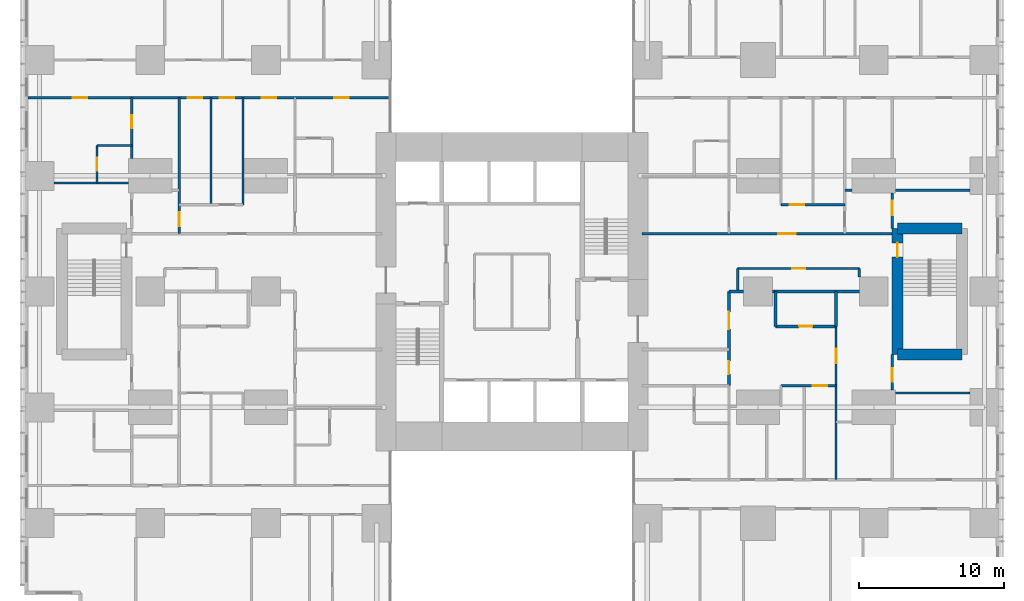
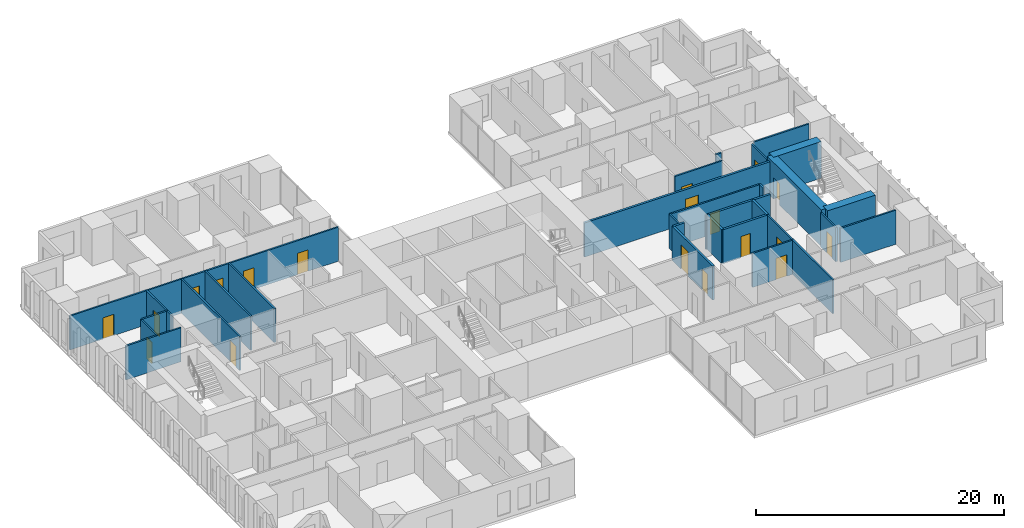
# One storey, part 16 of 20: 29 walls, 19 doors, 19 openings.
"""IFC4 building model written with IfcOpenShell, lengths in metres."""

from ifc_helpers import new_model, si_unit, direction, frame, frame_2d, origin, place, context, subcontext, project, spatial, rectangle, extrude, material, layer, layer_set, type_object, element, fill, save


model = new_model("IFC4")

# Units and contexts
model_context = context("Model", 3, precision=1e-05, world=origin(), true_north=direction((0.0, 1.0)))
body_context = subcontext(model_context, "Body", "Model", "MODEL_VIEW")
ifc_project = project(units=[si_unit("LENGTHUNIT", "METRE"), si_unit("AREAUNIT", "SQUARE_METRE"), si_unit("VOLUMEUNIT", "CUBIC_METRE"), si_unit("PLANEANGLEUNIT", "RADIAN"), si_unit("MASSUNIT", "GRAM", prefix="KILO")], contexts=[model_context])

# Site, building, storey
site_placement = place(None, origin())
site = spatial("IfcSite", under=ifc_project, at=site_placement, CompositionType="ELEMENT")
building_placement = place(site_placement, origin())
building = spatial("IfcBuilding", under=site, at=building_placement, Name="Cleftline Residences", CompositionType="ELEMENT")
storey_placement = place(building_placement, frame((0.0, 0.0, 153.800048828125)))
storey = spatial("IfcBuildingStorey", under=building, at=storey_placement, Name="L40", CompositionType="ELEMENT", Elevation=153.800048828125)

# Wall, opening, door
ifc_material_1 = material(Name="Concrete blockwork, fire rated", Category="masonry")
ifc_layer_1 = layer(ifc_material_1, 0.199951171875)
ifc_layer_set_1 = layer_set([ifc_layer_1], Name="FIRE WALL 200")
wall_type_1 = type_object("IfcWallType", Name="FIRE WALL 200", PredefinedType="PARTITIONING", material=ifc_layer_set_1)
wall_1_placement = place(storey_placement, frame((51.199951171875, 21.60009765625, 0.0), z_axis=(0.0, 0.0, 1.0), x_axis=(1.0, 0.0, 0.0)))
wall_1 = element("IfcWall", 1, at=wall_1_placement, inside=storey, type_object=wall_type_1, Name="Fire separating wall", PredefinedType="PARTITIONING", context=body_context, shape_type="SweptSolid", body=[
    extrude(rectangle(XDim=4.199951171875, YDim=0.199951171875, at=frame_2d((2.10009765625, 0.0))), origin(), (0.0, 0.0, 1.0), 3.349853515625),
])
opening_1_placement = place(wall_1_placement, frame((1.64990234375, 0.0, 0.0)))
opening_1 = element("IfcOpeningElement", 2, at=opening_1_placement, cuts=wall_1, Name="Opening D1F30", PredefinedType="OPENING", context=body_context, shape_type="SweptSolid", body=[
    extrude(rectangle(XDim=0.89990234375, YDim=2.10009765625, at=frame_2d((0.449951171875, 1.050048828125))), frame((0.0, 0.10986328125, 0.0), z_axis=(0.0, -1.0, 0.0), x_axis=(1.0, 0.0, 0.0)), (0.0, 0.0, 1.0), 0.219970703125),
])
ifc_material_2 = material(Name="Timber veneer on solid core", Category="wood")
door_type_1 = type_object("IfcDoorType", Name="DOOR 900X2100 EI 30", OperationType="SINGLE_SWING_LEFT", PredefinedType="DOOR", material=ifc_material_2)
door_1_placement = place(opening_1_placement, origin())
door_1 = element("IfcDoor", 3, at=door_1_placement, inside=storey, type_object=door_type_1, Name="Door to cloakroom wc", OperationType="SINGLE_SWING_LEFT", OverallHeight=2.10009765625, OverallWidth=0.89990234375, PredefinedType="DOOR", context=body_context, shape_type="SweptSolid", body=[
    extrude(rectangle(XDim=0.89990234375, YDim=2.10009765625, at=frame_2d((0.449951171875, 1.050048828125))), frame((0.0, 0.02490234375, 0.0), z_axis=(0.0, -1.0, 0.0), x_axis=(1.0, 0.0, 0.0)), (0.0, 0.0, 1.0), 0.050048828125),
])
fill(opening_1, door_1)

# Walls
wall_2_placement = place(storey_placement, frame((48.0, 24.0, 0.0), z_axis=(0.0, 0.0, 1.0), x_axis=(1.0, 0.0, 0.0)))
element("IfcWall", 4, at=wall_2_placement, inside=storey, type_object=wall_type_1, Name="Fire separating wall", PredefinedType="PARTITIONING", context=body_context, shape_type="SweptSolid", body=[
    extrude(rectangle(XDim=1.0, YDim=0.199951171875, at=frame_2d((0.5, 0.0))), origin(), (0.0, 0.0, 1.0), 3.349853515625),
])
wall_3_placement = place(storey_placement, frame((51.0, 24.0, 0.0), z_axis=(0.0, 0.0, 1.0), x_axis=(1.0, 0.0, 0.0)))
element("IfcWall", 5, at=wall_3_placement, inside=storey, type_object=wall_type_1, Name="Fire separating wall", PredefinedType="PARTITIONING", context=body_context, shape_type="SweptSolid", body=[
    extrude(rectangle(XDim=6.0, YDim=0.199951171875, at=frame_2d((3.0, 0.0))), origin(), (0.0, 0.0, 1.0), 3.349853515625),
])

# Wall, opening, door
wall_4_placement = place(storey_placement, frame((42.0, 28.0, 0.0), z_axis=(0.0, 0.0, 1.0), x_axis=(1.0, 0.0, 0.0)))
wall_4 = element("IfcWall", 6, at=wall_4_placement, inside=storey, type_object=wall_type_1, Name="Fire separating wall", PredefinedType="PARTITIONING", context=body_context, shape_type="SweptSolid", body=[
    extrude(rectangle(XDim=17.27490234375, YDim=0.199951171875, at=frame_2d((8.637451171875, 0.0))), origin(), (0.0, 0.0, 1.0), 3.349853515625),
])
opening_2_placement = place(wall_4_placement, frame((9.39990234375, 0.0, 0.0)))
opening_2 = element("IfcOpeningElement", 7, at=opening_2_placement, cuts=wall_4, Name="Opening D4", PredefinedType="OPENING", context=body_context, shape_type="SweptSolid", body=[
    extrude(rectangle(XDim=1.199951171875, YDim=2.39990234375, at=frame_2d((0.60009765625, 1.199951171875))), frame((0.0, 0.10986328125, 0.0), z_axis=(0.0, -1.0, 0.0), x_axis=(1.0, 0.0, 0.0)), (0.0, 0.0, 1.0), 0.219970703125),
])
ifc_material_3 = material(Name="Timber veneer on solid core", Category="wood")
door_type_2 = type_object("IfcDoorType", Name="APARTMENT ENTRANCE DOOR 1200X2400", OperationType="SINGLE_SWING_RIGHT", PredefinedType="DOOR", material=ifc_material_3)
door_2_placement = place(opening_2_placement, origin())
door_2 = element("IfcDoor", 8, at=door_2_placement, inside=storey, type_object=door_type_2, Name="Door to residence entrance (gallery)", OperationType="SINGLE_SWING_LEFT", OverallHeight=2.39990234375, OverallWidth=1.199951171875, PredefinedType="DOOR", context=body_context, shape_type="SweptSolid", body=[
    extrude(rectangle(XDim=1.199951171875, YDim=2.39990234375, at=frame_2d((0.60009765625, 1.199951171875))), frame((0.0, 0.02490234375, 0.0), z_axis=(0.0, -1.0, 0.0), x_axis=(1.0, 0.0, 0.0)), (0.0, 0.0, 1.0), 0.050048828125),
])
fill(opening_2, door_2)

# Wall, openings, doors
wall_5_placement = place(storey_placement, frame((48.0, 17.5, 0.0), z_axis=(0.0, 0.0, 1.0), x_axis=(0.0, 1.0, 0.0)))
wall_5 = element("IfcWall", 9, at=wall_5_placement, inside=storey, type_object=wall_type_1, Name="Fire separating wall", PredefinedType="PARTITIONING", context=body_context, shape_type="SweptSolid", body=[
    extrude(rectangle(XDim=6.5, YDim=0.199951171875, at=frame_2d((3.25, 0.0))), origin(), (0.0, 0.0, 1.0), 3.349853515625),
])
opening_3_placement = place(wall_5_placement, frame((3.89990234375, 0.0, 0.0)))
opening_3 = element("IfcOpeningElement", 10, at=opening_3_placement, cuts=wall_5, Name="Opening D4", PredefinedType="OPENING", context=body_context, shape_type="SweptSolid", body=[
    extrude(rectangle(XDim=1.199951171875, YDim=2.39990234375, at=frame_2d((0.60009765625, 1.199951171875))), frame((0.0, 0.10986328125, 0.0), z_axis=(0.0, -1.0, 0.0), x_axis=(1.0, 0.0, 0.0)), (0.0, 0.0, 1.0), 0.219970703125),
])
opening_4_placement = place(wall_5_placement, frame((0.800048828125, 0.0, 0.0)))
opening_4 = element("IfcOpeningElement", 11, at=opening_4_placement, cuts=wall_5, Name="Opening D1F30", PredefinedType="OPENING", context=body_context, shape_type="SweptSolid", body=[
    extrude(rectangle(XDim=0.89990234375, YDim=2.10009765625, at=frame_2d((0.449951171875, 1.050048828125))), frame((0.0, 0.10986328125, 0.0), z_axis=(0.0, -1.0, 0.0), x_axis=(1.0, 0.0, 0.0)), (0.0, 0.0, 1.0), 0.219970703125),
])
door_3_placement = place(opening_3_placement, origin())
door_3 = element("IfcDoor", 12, at=door_3_placement, inside=storey, type_object=door_type_2, Name="Door to residence entrance foyer", OperationType="SINGLE_SWING_LEFT", OverallHeight=2.39990234375, OverallWidth=1.199951171875, PredefinedType="DOOR", context=body_context, shape_type="SweptSolid", body=[
    extrude(rectangle(XDim=1.199951171875, YDim=2.39990234375, at=frame_2d((0.60009765625, 1.199951171875))), frame((0.0, 0.02490234375, 0.0), z_axis=(0.0, -1.0, 0.0), x_axis=(1.0, 0.0, 0.0)), (0.0, 0.0, 1.0), 0.050048828125),
])
fill(opening_3, door_3)
door_4_placement = place(opening_4_placement, origin())
door_4 = element("IfcDoor", 13, at=door_4_placement, inside=storey, type_object=door_type_1, Name="Door to utility room", OperationType="SINGLE_SWING_RIGHT", OverallHeight=2.10009765625, OverallWidth=0.89990234375, PredefinedType="DOOR", context=body_context, shape_type="SweptSolid", body=[
    extrude(rectangle(XDim=0.89990234375, YDim=2.10009765625, at=frame_2d((0.449951171875, 1.050048828125))), frame((0.0, 0.02490234375, 0.0), z_axis=(0.0, -1.0, 0.0), x_axis=(1.0, 0.0, 0.0)), (0.0, 0.0, 1.0), 0.050048828125),
])
fill(opening_4, door_4)

# Walls
for number, where, z_axis, x_axis, name in (
    (14, (51.199951171875, 21.60009765625, 0.0), (0.0, 0.0, 1.0), (0.0, 1.0, 0.0), "Fire separating wall"),
    (15, (55.39990234375, 21.60009765625, 0.0), (0.0, 0.0, 1.0), (0.0, 1.0, 0.0), "Fire separating wall"),
):
    element("IfcWall", number, at=place(storey_placement, frame(where, z_axis=z_axis, x_axis=x_axis)), inside=storey, type_object=wall_type_1, Name=name, PredefinedType="PARTITIONING", context=body_context, shape_type="SweptSolid", body=[
        extrude(rectangle(XDim=2.39990234375, YDim=0.199951171875, at=frame_2d((1.199951171875, 0.0))), origin(), (0.0, 0.0, 1.0), 3.349853515625),
    ])
ifc_material_4 = material(Name="Gypsum board on steel studs", Category="steel")
ifc_layer_2 = layer(ifc_material_4, 0.14990234375)
ifc_layer_set_2 = layer_set([ifc_layer_2], Name="PARTITION 150")
wall_type_2 = type_object("IfcWallType", Name="PARTITION 150", PredefinedType="PARTITIONING", material=ifc_layer_set_2)
wall_6_placement = place(storey_placement, frame((59.5, 17.0, 0.0), z_axis=(0.0, 0.0, 1.0), x_axis=(1.0, 0.0, 0.0)))
element("IfcWall", 16, at=wall_6_placement, inside=storey, type_object=wall_type_2, Name="Partition", PredefinedType="PARTITIONING", context=body_context, shape_type="SweptSolid", body=[
    extrude(rectangle(XDim=5.14990234375, YDim=0.14990234375, at=frame_2d((2.574951171875, 0.0))), origin(), (0.0, 0.0, 1.0), 3.349853515625),
])

# Wall, opening, door
wall_7_placement = place(storey_placement, frame((51.60009765625, 17.5, 0.0), z_axis=(0.0, 0.0, 1.0), x_axis=(1.0, 0.0, 0.0)))
wall_7 = element("IfcWall", 17, at=wall_7_placement, inside=storey, type_object=wall_type_2, Name="Partition", PredefinedType="PARTITIONING", context=body_context, shape_type="SweptSolid", body=[
    extrude(rectangle(XDim=3.7998046875, YDim=0.14990234375, at=frame_2d((1.89990234375, 0.0))), origin(), (0.0, 0.0, 1.0), 3.349853515625),
])
opening_5_placement = place(wall_7_placement, frame((2.199951171875, 0.0, 0.0)))
opening_5 = element("IfcOpeningElement", 18, at=opening_5_placement, cuts=wall_7, Name="Opening D2", PredefinedType="OPENING", context=body_context, shape_type="SweptSolid", body=[
    extrude(rectangle(XDim=1.0, YDim=2.10009765625, at=frame_2d((0.5, 1.050048828125))), frame((0.0, 0.0849609375, 0.0), z_axis=(0.0, -1.0, 0.0), x_axis=(1.0, 0.0, 0.0)), (0.0, 0.0, 1.0), 0.169921875),
])
ifc_material_5 = material(Name="Timber veneer on solid core", Category="wood")
door_type_3 = type_object("IfcDoorType", Name="DOOR 1000X2100", OperationType="SINGLE_SWING_LEFT", PredefinedType="DOOR", material=ifc_material_5)
door_5_placement = place(opening_5_placement, origin())
door_5 = element("IfcDoor", 19, at=door_5_placement, inside=storey, type_object=door_type_3, Name="Door to residence passage", OperationType="SINGLE_SWING_LEFT", OverallHeight=2.10009765625, OverallWidth=1.0, PredefinedType="DOOR", context=body_context, shape_type="SweptSolid", body=[
    extrude(rectangle(XDim=1.0, YDim=2.10009765625, at=frame_2d((0.5, 1.050048828125))), frame((0.0, 0.02490234375, 0.0), z_axis=(0.0, -1.0, 0.0), x_axis=(1.0, 0.0, 0.0)), (0.0, 0.0, 1.0), 0.050048828125),
])
fill(opening_5, door_5)

wall_8_placement = place(storey_placement, frame((48.60009765625, 25.60009765625, 0.0), z_axis=(0.0, 0.0, 1.0), x_axis=(1.0, 0.0, 0.0)))
wall_8 = element("IfcWall", 20, at=wall_8_placement, inside=storey, type_object=wall_type_2, Name="Partition", PredefinedType="PARTITIONING", context=body_context, shape_type="SweptSolid", body=[
    extrude(rectangle(XDim=8.39990234375, YDim=0.14990234375, at=frame_2d((4.199951171875, 0.0))), origin(), (0.0, 0.0, 1.0), 3.349853515625),
])
opening_6_placement = place(wall_8_placement, frame((3.75, 0.0, 0.0)))
opening_6 = element("IfcOpeningElement", 21, at=opening_6_placement, cuts=wall_8, Name="Opening D1", PredefinedType="OPENING", context=body_context, shape_type="SweptSolid", body=[
    extrude(rectangle(XDim=0.89990234375, YDim=2.10009765625, at=frame_2d((0.449951171875, 1.050048828125))), frame((0.0, 0.0849609375, 0.0), z_axis=(0.0, -1.0, 0.0), x_axis=(1.0, 0.0, 0.0)), (0.0, 0.0, 1.0), 0.169921875),
])
ifc_material_6 = material(Name="Timber veneer on solid core", Category="wood")
door_type_4 = type_object("IfcDoorType", Name="DOOR 900X2100", OperationType="SINGLE_SWING_LEFT", PredefinedType="DOOR", material=ifc_material_6)
door_6_placement = place(opening_6_placement, origin())
door_6 = element("IfcDoor", 22, at=door_6_placement, inside=storey, type_object=door_type_4, Name="Door to residents' locker room", OperationType="SINGLE_SWING_LEFT", OverallHeight=2.10009765625, OverallWidth=0.89990234375, PredefinedType="DOOR", context=body_context, shape_type="SweptSolid", body=[
    extrude(rectangle(XDim=0.89990234375, YDim=2.10009765625, at=frame_2d((0.449951171875, 1.050048828125))), frame((0.0, 0.02490234375, 0.0), z_axis=(0.0, -1.0, 0.0), x_axis=(1.0, 0.0, 0.0)), (0.0, 0.0, 1.0), 0.050048828125),
])
fill(opening_6, door_6)

wall_9_placement = place(storey_placement, frame((51.60009765625, 30.0, 0.0), z_axis=(0.0, 0.0, 1.0), x_axis=(1.0, 0.0, 0.0)))
wall_9 = element("IfcWall", 23, at=wall_9_placement, inside=storey, type_object=wall_type_2, Name="Partition", PredefinedType="PARTITIONING", context=body_context, shape_type="SweptSolid", body=[
    extrude(rectangle(XDim=4.39990234375, YDim=0.14990234375, at=frame_2d((2.199951171875, 0.0))), origin(), (0.0, 0.0, 1.0), 3.349853515625),
])
opening_7_placement = place(wall_9_placement, frame((0.60009765625, 0.0, 0.0)))
opening_7 = element("IfcOpeningElement", 24, at=opening_7_placement, cuts=wall_9, Name="Opening D2", PredefinedType="OPENING", context=body_context, shape_type="SweptSolid", body=[
    extrude(rectangle(XDim=1.0, YDim=2.10009765625, at=frame_2d((0.5, 1.050048828125))), frame((0.0, 0.0849609375, 0.0), z_axis=(0.0, -1.0, 0.0), x_axis=(1.0, 0.0, 0.0)), (0.0, 0.0, 1.0), 0.169921875),
])
door_7_placement = place(opening_7_placement, origin())
door_7 = element("IfcDoor", 25, at=door_7_placement, inside=storey, type_object=door_type_3, Name="Door to residence passage", OperationType="SINGLE_SWING_RIGHT", OverallHeight=2.10009765625, OverallWidth=1.0, PredefinedType="DOOR", context=body_context, shape_type="SweptSolid", body=[
    extrude(rectangle(XDim=1.0, YDim=2.10009765625, at=frame_2d((0.5, 1.050048828125))), frame((0.0, 0.02490234375, 0.0), z_axis=(0.0, -1.0, 0.0), x_axis=(1.0, 0.0, 0.0)), (0.0, 0.0, 1.0), 0.050048828125),
])
fill(opening_7, door_7)

# Walls
wall_10_placement = place(storey_placement, frame((56.0, 31.0, 0.0), z_axis=(0.0, 0.0, 1.0), x_axis=(1.0, 0.0, 0.0)))
element("IfcWall", 26, at=wall_10_placement, inside=storey, type_object=wall_type_2, Name="Partition", PredefinedType="PARTITIONING", context=body_context, shape_type="SweptSolid", body=[
    extrude(rectangle(XDim=0.5, YDim=0.14990234375, at=frame_2d((0.25, 0.0))), origin(), (0.0, 0.0, 1.0), 3.349853515625),
])
for number, where, z_axis, x_axis, name in (
    (27, (59.5, 31.0, 0.0), (0.0, 0.0, 1.0), (1.0, 0.0, 0.0), "Partition"),
    (28, (1.35009765625, 31.5, 0.0), (0.0, 0.0, 1.0), (1.0, 0.0, 0.0), "Partition"),
):
    element("IfcWall", number, at=place(storey_placement, frame(where, z_axis=z_axis, x_axis=x_axis)), inside=storey, type_object=wall_type_2, Name=name, PredefinedType="PARTITIONING", context=body_context, shape_type="SweptSolid", body=[
        extrude(rectangle(XDim=5.14990234375, YDim=0.14990234375, at=frame_2d((2.574951171875, 0.0))), origin(), (0.0, 0.0, 1.0), 3.349853515625),
    ])
wall_11_placement = place(storey_placement, frame((4.324951171875, 34.10009765625, 0.0), z_axis=(0.0, 0.0, 1.0), x_axis=(1.0, 0.0, 0.0)))
element("IfcWall", 29, at=wall_11_placement, inside=storey, type_object=wall_type_2, Name="Partition", PredefinedType="PARTITIONING", context=body_context, shape_type="SweptSolid", body=[
    extrude(rectangle(XDim=2.400146484375, YDim=0.14990234375, at=frame_2d((1.2001953125, 0.0))), origin(), (0.0, 0.0, 1.0), 3.349853515625),
])

# Wall, openings, doors
wall_12_placement = place(storey_placement, frame((-0.449951171875, 37.39990234375, 0.0), z_axis=(0.0, 0.0, 1.0), x_axis=(1.0, 0.0, 0.0)))
wall_12 = element("IfcWall", 30, at=wall_12_placement, inside=storey, type_object=wall_type_2, Name="Partition", PredefinedType="PARTITIONING", context=body_context, shape_type="SweptSolid", body=[
    extrude(rectangle(XDim=25.010986328125, YDim=0.14990234375, at=frame_2d((12.50537109375, 0.0))), origin(), (0.0, 0.0, 1.0), 3.349853515625),
])
opening_8_placement = place(wall_12_placement, frame((13.25, 0.0, 0.0)))
opening_8 = element("IfcOpeningElement", 31, at=opening_8_placement, cuts=wall_12, Name="Opening D2", PredefinedType="OPENING", context=body_context, shape_type="SweptSolid", body=[
    extrude(rectangle(XDim=1.0, YDim=2.10009765625, at=frame_2d((0.5, 1.050048828125))), frame((0.0, 0.0849609375, 0.0), z_axis=(0.0, -1.0, 0.0), x_axis=(1.0, 0.0, 0.0)), (0.0, 0.0, 1.0), 0.169921875),
])
opening_9_placement = place(wall_12_placement, frame((3.08740234375, 0.0, 0.0)))
opening_9 = element("IfcOpeningElement", 32, at=opening_9_placement, cuts=wall_12, Name="Opening D2", PredefinedType="OPENING", context=body_context, shape_type="SweptSolid", body=[
    extrude(rectangle(XDim=1.0, YDim=2.10009765625, at=frame_2d((0.5, 1.050048828125))), frame((0.0, 0.0849609375, 0.0), z_axis=(0.0, -1.0, 0.0), x_axis=(1.0, 0.0, 0.0)), (0.0, 0.0, 1.0), 0.169921875),
])
opening_10_placement = place(wall_12_placement, frame((11.050048828125, 0.0, 0.0)))
opening_10 = element("IfcOpeningElement", 33, at=opening_10_placement, cuts=wall_12, Name="Opening D2", PredefinedType="OPENING", context=body_context, shape_type="SweptSolid", body=[
    extrude(rectangle(XDim=1.0, YDim=2.10009765625, at=frame_2d((0.5, 1.050048828125))), frame((0.0, 0.0849609375, 0.0), z_axis=(0.0, -1.0, 0.0), x_axis=(1.0, 0.0, 0.0)), (0.0, 0.0, 1.0), 0.169921875),
])
opening_11_placement = place(wall_12_placement, frame((16.14990234375, 0.0, 0.0)))
opening_11 = element("IfcOpeningElement", 34, at=opening_11_placement, cuts=wall_12, Name="Opening D2", PredefinedType="OPENING", context=body_context, shape_type="SweptSolid", body=[
    extrude(rectangle(XDim=1.0, YDim=2.10009765625, at=frame_2d((0.5, 1.050048828125))), frame((0.0, 0.0849609375, 0.0), z_axis=(0.0, -1.0, 0.0), x_axis=(1.0, 0.0, 0.0)), (0.0, 0.0, 1.0), 0.169921875),
])
opening_12_placement = place(wall_12_placement, frame((21.175048828125, 0.0, 0.0)))
opening_12 = element("IfcOpeningElement", 35, at=opening_12_placement, cuts=wall_12, Name="Opening D2", PredefinedType="OPENING", context=body_context, shape_type="SweptSolid", body=[
    extrude(rectangle(XDim=1.0, YDim=2.10009765625, at=frame_2d((0.5, 1.050048828125))), frame((0.0, 0.0849609375, 0.0), z_axis=(0.0, -1.0, 0.0), x_axis=(1.0, 0.0, 0.0)), (0.0, 0.0, 1.0), 0.169921875),
])
door_8_placement = place(opening_8_placement, origin())
door_8 = element("IfcDoor", 36, at=door_8_placement, inside=storey, type_object=door_type_3, Name="Door to residence hall", OperationType="SINGLE_SWING_LEFT", OverallHeight=2.10009765625, OverallWidth=1.0, PredefinedType="DOOR", context=body_context, shape_type="SweptSolid", body=[
    extrude(rectangle(XDim=1.0, YDim=2.10009765625, at=frame_2d((0.5, 1.050048828125))), frame((0.0, 0.02490234375, 0.0), z_axis=(0.0, -1.0, 0.0), x_axis=(1.0, 0.0, 0.0)), (0.0, 0.0, 1.0), 0.050048828125),
])
fill(opening_8, door_8)
door_9_placement = place(opening_9_placement, origin())
door_9 = element("IfcDoor", 37, at=door_9_placement, inside=storey, type_object=door_type_3, Name="Door to master bedroom", OperationType="SINGLE_SWING_RIGHT", OverallHeight=2.10009765625, OverallWidth=1.0, PredefinedType="DOOR", context=body_context, shape_type="SweptSolid", body=[
    extrude(rectangle(XDim=1.0, YDim=2.10009765625, at=frame_2d((0.5, 1.050048828125))), frame((0.0, 0.02490234375, 0.0), z_axis=(0.0, -1.0, 0.0), x_axis=(1.0, 0.0, 0.0)), (0.0, 0.0, 1.0), 0.050048828125),
])
fill(opening_9, door_9)
door_10_placement = place(opening_10_placement, origin())
door_10 = element("IfcDoor", 38, at=door_10_placement, inside=storey, type_object=door_type_3, Name="Door to wet kitchen", OperationType="SINGLE_SWING_RIGHT", OverallHeight=2.10009765625, OverallWidth=1.0, PredefinedType="DOOR", context=body_context, shape_type="SweptSolid", body=[
    extrude(rectangle(XDim=1.0, YDim=2.10009765625, at=frame_2d((0.5, 1.050048828125))), frame((0.0, 0.02490234375, 0.0), z_axis=(0.0, -1.0, 0.0), x_axis=(1.0, 0.0, 0.0)), (0.0, 0.0, 1.0), 0.050048828125),
])
fill(opening_10, door_10)
door_11_placement = place(opening_11_placement, origin())
door_11 = element("IfcDoor", 39, at=door_11_placement, inside=storey, type_object=door_type_3, Name="Door to family room", OperationType="SINGLE_SWING_LEFT", OverallHeight=2.10009765625, OverallWidth=1.0, PredefinedType="DOOR", context=body_context, shape_type="SweptSolid", body=[
    extrude(rectangle(XDim=1.0, YDim=2.10009765625, at=frame_2d((0.5, 1.050048828125))), frame((0.0, 0.02490234375, 0.0), z_axis=(0.0, -1.0, 0.0), x_axis=(1.0, 0.0, 0.0)), (0.0, 0.0, 1.0), 0.050048828125),
])
fill(opening_11, door_11)
door_12_placement = place(opening_12_placement, origin())
door_12 = element("IfcDoor", 40, at=door_12_placement, inside=storey, type_object=door_type_3, Name="Door to bedroom 3", OperationType="SINGLE_SWING_LEFT", OverallHeight=2.10009765625, OverallWidth=1.0, PredefinedType="DOOR", context=body_context, shape_type="SweptSolid", body=[
    extrude(rectangle(XDim=1.0, YDim=2.10009765625, at=frame_2d((0.5, 1.050048828125))), frame((0.0, 0.02490234375, 0.0), z_axis=(0.0, -1.0, 0.0), x_axis=(1.0, 0.0, 0.0)), (0.0, 0.0, 1.0), 0.050048828125),
])
fill(opening_12, door_12)

# Wall, opening, door
wall_13_placement = place(storey_placement, frame((4.324951171875, 31.5, 0.0), z_axis=(0.0, 0.0, 1.0), x_axis=(0.0, 1.0, 0.0)))
wall_13 = element("IfcWall", 41, at=wall_13_placement, inside=storey, type_object=wall_type_2, Name="Partition", PredefinedType="PARTITIONING", context=body_context, shape_type="SweptSolid", body=[
    extrude(rectangle(XDim=2.60009765625, YDim=0.14990234375, at=frame_2d((1.300048828125, 0.0))), origin(), (0.0, 0.0, 1.0), 3.349853515625),
])
opening_13_placement = place(wall_13_placement, frame((0.85009765625, 0.0, 0.0)))
opening_13 = element("IfcOpeningElement", 42, at=opening_13_placement, cuts=wall_13, Name="Opening D1", PredefinedType="OPENING", context=body_context, shape_type="SweptSolid", body=[
    extrude(rectangle(XDim=0.89990234375, YDim=2.10009765625, at=frame_2d((0.449951171875, 1.050048828125))), frame((0.0, 0.0849609375, 0.0), z_axis=(0.0, -1.0, 0.0), x_axis=(1.0, 0.0, 0.0)), (0.0, 0.0, 1.0), 0.169921875),
])
door_13_placement = place(opening_13_placement, origin())
door_13 = element("IfcDoor", 43, at=door_13_placement, inside=storey, type_object=door_type_4, Name="Door to master bathroom", OperationType="SINGLE_SWING_LEFT", OverallHeight=2.10009765625, OverallWidth=0.89990234375, PredefinedType="DOOR", context=body_context, shape_type="SweptSolid", body=[
    extrude(rectangle(XDim=0.89990234375, YDim=2.10009765625, at=frame_2d((0.449951171875, 1.050048828125))), frame((0.0, 0.02490234375, 0.0), z_axis=(0.0, -1.0, 0.0), x_axis=(1.0, 0.0, 0.0)), (0.0, 0.0, 1.0), 0.050048828125),
])
fill(opening_13, door_13)

wall_14_placement = place(storey_placement, frame((6.72509765625, 33.199951171875, 0.0), z_axis=(0.0, 0.0, 1.0), x_axis=(0.0, 1.0, 0.0)))
wall_14 = element("IfcWall", 44, at=wall_14_placement, inside=storey, type_object=wall_type_2, Name="Partition", PredefinedType="PARTITIONING", context=body_context, shape_type="SweptSolid", body=[
    extrude(rectangle(XDim=4.199951171875, YDim=0.14990234375, at=frame_2d((2.10009765625, 0.0))), origin(), (0.0, 0.0, 1.0), 3.349853515625),
])
opening_14_placement = place(wall_14_placement, frame((2.10009765625, 0.0, 0.0)))
opening_14 = element("IfcOpeningElement", 45, at=opening_14_placement, cuts=wall_14, Name="Opening D1", PredefinedType="OPENING", context=body_context, shape_type="SweptSolid", body=[
    extrude(rectangle(XDim=0.89990234375, YDim=2.10009765625, at=frame_2d((0.449951171875, 1.050048828125))), frame((0.0, 0.0849609375, 0.0), z_axis=(0.0, -1.0, 0.0), x_axis=(1.0, 0.0, 0.0)), (0.0, 0.0, 1.0), 0.169921875),
])
door_14_placement = place(opening_14_placement, origin())
door_14 = element("IfcDoor", 46, at=door_14_placement, inside=storey, type_object=door_type_4, Name="Door to master dressing room", OperationType="SINGLE_SWING_LEFT", OverallHeight=2.10009765625, OverallWidth=0.89990234375, PredefinedType="DOOR", context=body_context, shape_type="SweptSolid", body=[
    extrude(rectangle(XDim=0.89990234375, YDim=2.10009765625, at=frame_2d((0.449951171875, 1.050048828125))), frame((0.0, 0.02490234375, 0.0), z_axis=(0.0, -1.0, 0.0), x_axis=(1.0, 0.0, 0.0)), (0.0, 0.0, 1.0), 0.050048828125),
])
fill(opening_14, door_14)

wall_15_placement = place(storey_placement, frame((10.0, 28.0, 0.0), z_axis=(0.0, 0.0, 1.0), x_axis=(0.0, 1.0, 0.0)))
wall_15 = element("IfcWall", 47, at=wall_15_placement, inside=storey, type_object=wall_type_2, Name="Partition", PredefinedType="PARTITIONING", context=body_context, shape_type="SweptSolid", body=[
    extrude(rectangle(XDim=9.39990234375, YDim=0.14990234375, at=frame_2d((4.699951171875, 0.0))), origin(), (0.0, 0.0, 1.0), 3.349853515625),
])
opening_15_placement = place(wall_15_placement, frame((0.5, 0.0, 0.0)))
opening_15 = element("IfcOpeningElement", 48, at=opening_15_placement, cuts=wall_15, Name="Opening D2F30", PredefinedType="OPENING", context=body_context, shape_type="SweptSolid", body=[
    extrude(rectangle(XDim=1.0, YDim=2.10009765625, at=frame_2d((0.5, 1.050048828125))), frame((0.0, 0.0849609375, 0.0), z_axis=(0.0, -1.0, 0.0), x_axis=(1.0, 0.0, 0.0)), (0.0, 0.0, 1.0), 0.169921875),
])
ifc_material_7 = material(Name="Timber veneer on solid core", Category="wood")
door_type_5 = type_object("IfcDoorType", Name="DOOR 1000X2100 EI 30", OperationType="SINGLE_SWING_LEFT", PredefinedType="DOOR", material=ifc_material_7)
door_15_placement = place(opening_15_placement, origin())
door_15 = element("IfcDoor", 49, at=door_15_placement, inside=storey, type_object=door_type_5, Name="Door to residence lobby", OperationType="SINGLE_SWING_RIGHT", OverallHeight=2.10009765625, OverallWidth=1.0, PredefinedType="DOOR", context=body_context, shape_type="SweptSolid", body=[
    extrude(rectangle(XDim=1.0, YDim=2.10009765625, at=frame_2d((0.5, 1.050048828125))), frame((0.0, 0.02490234375, 0.0), z_axis=(0.0, -1.0, 0.0), x_axis=(1.0, 0.0, 0.0)), (0.0, 0.0, 1.0), 0.050048828125),
])
fill(opening_15, door_15)

# Walls
for number, where, z_axis, x_axis, name in (
    (50, (12.199951171875, 30.0, 0.0), (0.0, 0.0, 1.0), (0.0, 1.0, 0.0), "Partition"),
    (51, (14.39990234375, 30.0, 0.0), (0.0, 0.0, 1.0), (0.0, 1.0, 0.0), "Partition"),
):
    element("IfcWall", number, at=place(storey_placement, frame(where, z_axis=z_axis, x_axis=x_axis)), inside=storey, type_object=wall_type_2, Name=name, PredefinedType="PARTITIONING", context=body_context, shape_type="SweptSolid", body=[
        extrude(rectangle(XDim=7.39990234375, YDim=0.14990234375, at=frame_2d((3.699951171875, 0.0))), origin(), (0.0, 0.0, 1.0), 3.349853515625),
    ])
wall_16_placement = place(storey_placement, frame((48.60009765625, 24.0, 0.0), z_axis=(0.0, 0.0, 1.0), x_axis=(0.0, 1.0, 0.0)))
element("IfcWall", 52, at=wall_16_placement, inside=storey, type_object=wall_type_2, Name="Partition", PredefinedType="PARTITIONING", context=body_context, shape_type="SweptSolid", body=[
    extrude(rectangle(XDim=1.60009765625, YDim=0.14990234375, at=frame_2d((0.800048828125, 0.0))), origin(), (0.0, 0.0, 1.0), 3.349853515625),
])

# Wall, opening, door
wall_17_placement = place(storey_placement, frame((55.39990234375, 11.0, 0.0), z_axis=(0.0, 0.0, 1.0), x_axis=(0.0, 1.0, 0.0)))
wall_17 = element("IfcWall", 53, at=wall_17_placement, inside=storey, type_object=wall_type_2, Name="Partition", PredefinedType="PARTITIONING", context=body_context, shape_type="SweptSolid", body=[
    extrude(rectangle(XDim=10.60009765625, YDim=0.14990234375, at=frame_2d((5.300048828125, 0.0))), origin(), (0.0, 0.0, 1.0), 3.349853515625),
])
opening_16_placement = place(wall_17_placement, frame((8.050048828125, 0.0, 0.0)))
opening_16 = element("IfcOpeningElement", 54, at=opening_16_placement, cuts=wall_17, Name="Opening D2F30", PredefinedType="OPENING", context=body_context, shape_type="SweptSolid", body=[
    extrude(rectangle(XDim=1.0, YDim=2.10009765625, at=frame_2d((0.5, 1.050048828125))), frame((0.0, 0.0849609375, 0.0), z_axis=(0.0, -1.0, 0.0), x_axis=(1.0, 0.0, 0.0)), (0.0, 0.0, 1.0), 0.169921875),
])
door_16_placement = place(opening_16_placement, origin())
door_16 = element("IfcDoor", 55, at=door_16_placement, inside=storey, type_object=door_type_5, Name="Door to residence lobby", OperationType="SINGLE_SWING_LEFT", OverallHeight=2.10009765625, OverallWidth=1.0, PredefinedType="DOOR", context=body_context, shape_type="SweptSolid", body=[
    extrude(rectangle(XDim=1.0, YDim=2.10009765625, at=frame_2d((0.5, 1.050048828125))), frame((0.0, 0.02490234375, 0.0), z_axis=(0.0, -1.0, 0.0), x_axis=(1.0, 0.0, 0.0)), (0.0, 0.0, 1.0), 0.050048828125),
])
fill(opening_16, door_16)

# Wall
wall_18_placement = place(storey_placement, frame((57.0, 25.0, 0.0), z_axis=(0.0, 0.0, 1.0), x_axis=(0.0, 1.0, 0.0)))
element("IfcWall", 56, at=wall_18_placement, inside=storey, type_object=wall_type_2, Name="Partition", PredefinedType="PARTITIONING", context=body_context, shape_type="SweptSolid", body=[
    extrude(rectangle(XDim=0.60009765625, YDim=0.14990234375, at=frame_2d((0.300048828125, 0.0))), origin(), (0.0, 0.0, 1.0), 3.349853515625),
])

# Wall, opening, door
wall_19_placement = place(storey_placement, frame((59.27490234375, 17.199951171875, 0.0), z_axis=(0.0, 0.0, 1.0), x_axis=(0.0, 1.0, 0.0)))
wall_19 = element("IfcWall", 57, at=wall_19_placement, inside=storey, type_object=wall_type_2, Name="Partition", PredefinedType="PARTITIONING", context=body_context, shape_type="SweptSolid", body=[
    extrude(rectangle(XDim=2.449951171875, YDim=0.14990234375, at=frame_2d((1.22509765625, 0.0))), origin(), (0.0, 0.0, 1.0), 3.349853515625),
])
opening_17_placement = place(wall_19_placement, frame((0.58740234375, 0.0, 0.0)))
opening_17 = element("IfcOpeningElement", 58, at=opening_17_placement, cuts=wall_19, Name="Opening D1", PredefinedType="OPENING", context=body_context, shape_type="SweptSolid", body=[
    extrude(rectangle(XDim=0.89990234375, YDim=2.10009765625, at=frame_2d((0.449951171875, 1.050048828125))), frame((0.0, 0.0849609375, 0.0), z_axis=(0.0, -1.0, 0.0), x_axis=(1.0, 0.0, 0.0)), (0.0, 0.0, 1.0), 0.169921875),
])
door_17_placement = place(opening_17_placement, origin())
door_17 = element("IfcDoor", 59, at=door_17_placement, inside=storey, type_object=door_type_4, Name="Door to drying loggia", OperationType="SINGLE_SWING_RIGHT", OverallHeight=2.10009765625, OverallWidth=0.89990234375, PredefinedType="DOOR", context=body_context, shape_type="SweptSolid", body=[
    extrude(rectangle(XDim=0.89990234375, YDim=2.10009765625, at=frame_2d((0.449951171875, 1.050048828125))), frame((0.0, 0.02490234375, 0.0), z_axis=(0.0, -1.0, 0.0), x_axis=(1.0, 0.0, 0.0)), (0.0, 0.0, 1.0), 0.050048828125),
])
fill(opening_17, door_17)

wall_20_placement = place(storey_placement, frame((59.27490234375, 28.35009765625, 0.0), z_axis=(0.0, 0.0, 1.0), x_axis=(0.0, 1.0, 0.0)))
wall_20 = element("IfcWall", 60, at=wall_20_placement, inside=storey, type_object=wall_type_2, Name="Partition", PredefinedType="PARTITIONING", context=body_context, shape_type="SweptSolid", body=[
    extrude(rectangle(XDim=2.449951171875, YDim=0.14990234375, at=frame_2d((1.22509765625, 0.0))), origin(), (0.0, 0.0, 1.0), 3.349853515625),
])
opening_18_placement = place(wall_20_placement, frame((0.91259765625, 0.0, 0.0)))
opening_18 = element("IfcOpeningElement", 61, at=opening_18_placement, cuts=wall_20, Name="Opening D2", PredefinedType="OPENING", context=body_context, shape_type="SweptSolid", body=[
    extrude(rectangle(XDim=1.0, YDim=2.10009765625, at=frame_2d((0.5, 1.050048828125))), frame((0.0, 0.0849609375, 0.0), z_axis=(0.0, -1.0, 0.0), x_axis=(1.0, 0.0, 0.0)), (0.0, 0.0, 1.0), 0.169921875),
])
door_18_placement = place(opening_18_placement, origin())
door_18 = element("IfcDoor", 62, at=door_18_placement, inside=storey, type_object=door_type_3, Name="Door to winter garden", OperationType="SINGLE_SWING_LEFT", OverallHeight=2.10009765625, OverallWidth=1.0, PredefinedType="DOOR", context=body_context, shape_type="SweptSolid", body=[
    extrude(rectangle(XDim=1.0, YDim=2.10009765625, at=frame_2d((0.5, 1.050048828125))), frame((0.0, 0.02490234375, 0.0), z_axis=(0.0, -1.0, 0.0), x_axis=(1.0, 0.0, 0.0)), (0.0, 0.0, 1.0), 0.050048828125),
])
fill(opening_18, door_18)

# Walls
ifc_material_8 = material(Name="Concrete B70", Category="concrete")
ifc_layer_3 = layer(ifc_material_8, 0.75)
ifc_layer_set_3 = layer_set([ifc_layer_3], Name="SHEAR WALL 750")
wall_type_3 = type_object("IfcWallType", Name="SHEAR WALL 750", PredefinedType="SHEAR", material=ifc_layer_set_3)
for number, where, z_axis, x_axis, name in (
    (63, (59.64990234375, 19.64990234375, 0.0), (0.0, 0.0, 1.0), (1.0, 0.0, 0.0), "Wing shear wall"),
    (64, (64.10009765625, 28.35009765625, 0.0), (0.0, 0.0, 1.0), (-1.0, 0.0, 0.0), "Wing shear wall"),
):
    element("IfcWall", number, at=place(storey_placement, frame(where, z_axis=z_axis, x_axis=x_axis)), inside=storey, type_object=wall_type_3, Name=name, PredefinedType="SHEAR", context=body_context, shape_type="SweptSolid", body=[
        extrude(rectangle(XDim=4.4501953125, YDim=0.75, at=frame_2d((2.22509765625, 0.0))), origin(), (0.0, 0.0, 1.0), 3.599853515625),
    ])

# Wall, opening, door
wall_21_placement = place(storey_placement, frame((59.64990234375, 28.35009765625, 0.0), z_axis=(0.0, 0.0, 1.0), x_axis=(0.0, -1.0, 0.0)))
wall_21 = element("IfcWall", 65, at=wall_21_placement, inside=storey, type_object=wall_type_3, Name="Wing shear wall", PredefinedType="SHEAR", context=body_context, shape_type="SweptSolid", body=[
    extrude(rectangle(XDim=8.7001953125, YDim=0.75, at=frame_2d((4.35009765625, 0.0))), origin(), (0.0, 0.0, 1.0), 3.599853515625),
])
opening_19_placement = place(wall_21_placement, frame((0.97509765625, 0.0, 0.0)))
opening_19 = element("IfcOpeningElement", 66, at=opening_19_placement, cuts=wall_21, Name="Opening D5", PredefinedType="OPENING", context=body_context, shape_type="SweptSolid", body=[
    extrude(rectangle(XDim=1.0, YDim=2.10009765625, at=frame_2d((0.5, 1.050048828125))), frame((0.0, 0.385009765625, 0.0), z_axis=(0.0, -1.0, 0.0), x_axis=(1.0, 0.0, 0.0)), (0.0, 0.0, 1.0), 0.77001953125),
])
ifc_material_9 = material(Name="Steel", Category="steel")
door_type_6 = type_object("IfcDoorType", Name="STAIR DOOR 1000X2100", OperationType="SINGLE_SWING_LEFT", PredefinedType="DOOR", material=ifc_material_9)
door_19_placement = place(opening_19_placement, origin())
door_19 = element("IfcDoor", 67, at=door_19_placement, inside=storey, type_object=door_type_6, Name="Stair E door", OperationType="SINGLE_SWING_RIGHT", OverallHeight=2.10009765625, OverallWidth=1.0, PredefinedType="DOOR", context=body_context, shape_type="SweptSolid", body=[
    extrude(rectangle(XDim=1.0, YDim=2.10009765625, at=frame_2d((0.5, 1.050048828125))), frame((0.0, 0.02490234375, 0.0), z_axis=(0.0, -1.0, 0.0), x_axis=(1.0, 0.0, 0.0)), (0.0, 0.0, 1.0), 0.050048828125),
])
fill(opening_19, door_19)

save(model, "model.ifc")
